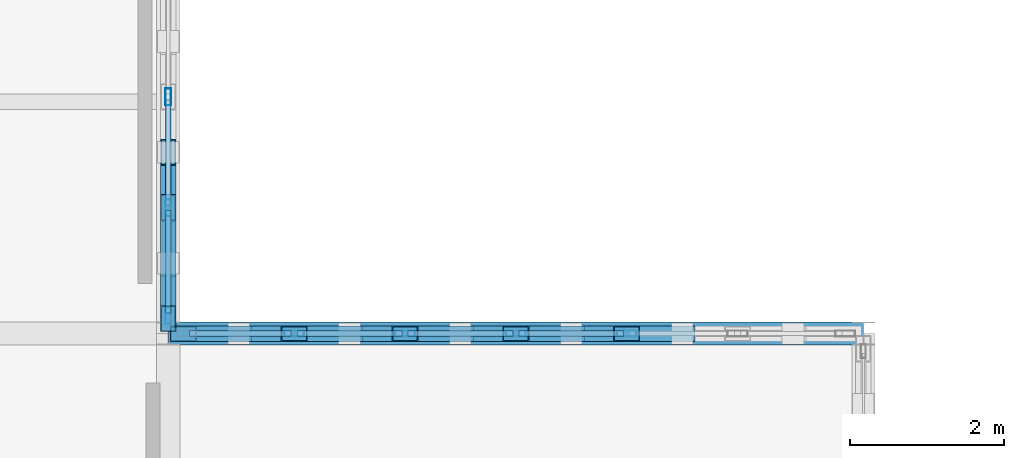
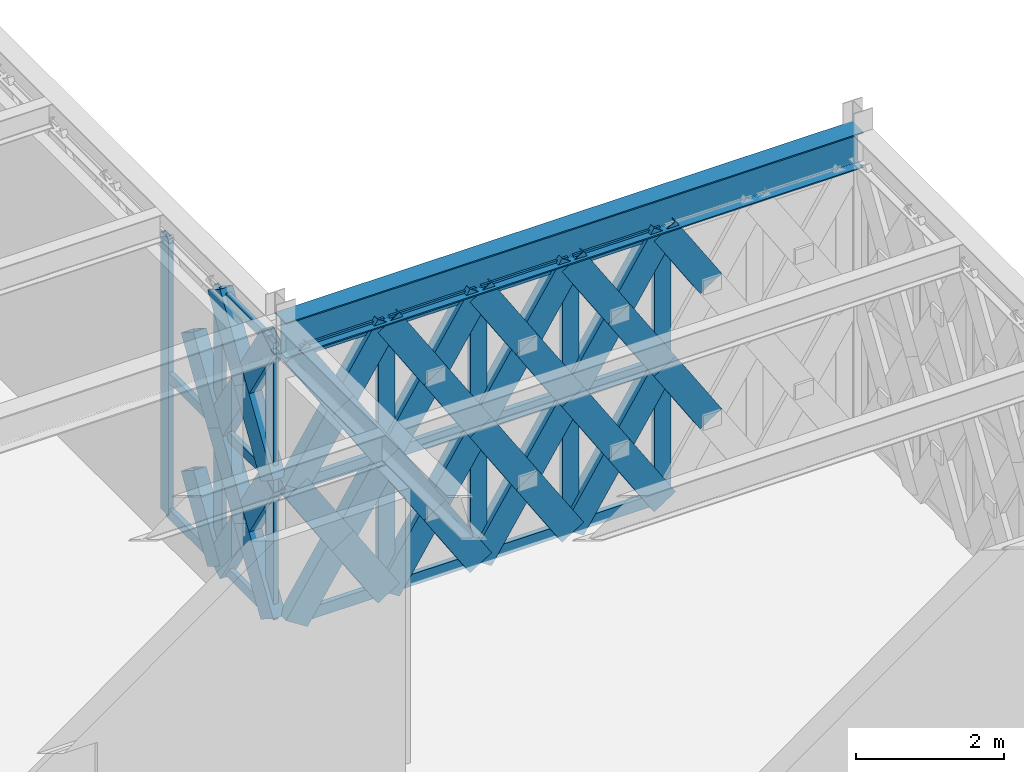
# One storey, part 112 of 155: 58 members, 1 beam, 2 elements without a shape of their own.
"""IFC4 building model written with IfcOpenShell, lengths in metres."""

from ifc_helpers import new_model, si_unit, direction, frame, origin, origin_2d, place, context, subcontext, project, spatial, hollow_rectangle, i_section, extrude, material, material_profile, profile_set, type_object, element, aggregate, save


model = new_model("IFC4")

# Units and contexts
model_context = context("Model", 3, precision=1e-05, world=origin(), true_north=direction((0.0, 1.0)))
body_context = subcontext(model_context, "Body", "Model", "MODEL_VIEW")
ifc_project = project(units=[si_unit("LENGTHUNIT", "METRE"), si_unit("AREAUNIT", "SQUARE_METRE"), si_unit("VOLUMEUNIT", "CUBIC_METRE"), si_unit("PLANEANGLEUNIT", "RADIAN"), si_unit("MASSUNIT", "GRAM", prefix="KILO")], contexts=[model_context])

# Site, building, storey
site_placement = place(None, origin())
site = spatial("IfcSite", under=ifc_project, at=site_placement, CompositionType="ELEMENT")
building_placement = place(site_placement, origin())
building = spatial("IfcBuilding", under=site, at=building_placement, Name="Haizhuo Lancet Aquarium", CompositionType="ELEMENT")
storey_placement = place(building_placement, frame((0.0, 0.0, 10.800048828125)))
storey = spatial("IfcBuildingStorey", under=building, at=storey_placement, Name="L02", CompositionType="ELEMENT", Elevation=10.800048828125)

# Beam
ifc_material_1 = material(Name="Steel S355", Category="steel")
ifc_material_profile_1 = material_profile(ifc_material_1, i_section(OverallWidth=0.300048828125, OverallDepth=0.587890625, WebThickness=0.011962890625, FlangeThickness=0.02001953125, FilletRadius=0.02587890625, at=origin_2d()), Name="HM 588x300x12x20")
ifc_profile_set_1 = profile_set([ifc_material_profile_1], Name="Steel S355")
beam_type = type_object("IfcBeamType", Name="BM-ST-HM588", PredefinedType="BEAM", material=ifc_profile_set_1)
beam_placement = place(storey_placement, frame((63.0, 27.0, 4.755859375), z_axis=(1.0, 0.0, 0.0), x_axis=(0.0, 1.0, 0.0)))
element("IfcBeam", 1, at=beam_placement, inside=storey, type_object=beam_type, Name="L02 V7 primary girder BM-L02-V7-026", PredefinedType="BEAM", context=body_context, shape_type="SweptSolid", body=[
    extrude(i_section(OverallWidth=0.300048828125, OverallDepth=0.587890625, WebThickness=0.011962890625, FlangeThickness=0.02001953125, FilletRadius=0.02587890625, at=origin_2d()), origin(), (0.0, 0.0, 1.0), 9.0),
])

# Curtain wall, members
ifc_material_2 = material(Name="Aluminium 6063-T6", Category="aluminium")
curtain_wall_type_1 = type_object("IfcCurtainWallType", Name="CWD-8610x4560", PredefinedType="NOTDEFINED", material=ifc_material_2)
curtain_wall_1_placement = place(storey_placement, origin())
curtain_wall_1 = element("IfcCurtainWall", 2, at=curtain_wall_1_placement, inside=storey, type_object=curtain_wall_type_1, Name="L02 curtain wall CW-V7-L02-299", PredefinedType="NOTDEFINED")
ifc_material_profile_2 = material_profile(ifc_material_2, hollow_rectangle(XDim=0.074951171875, YDim=0.219970703125, WallThickness=0.0048828125, at=origin_2d()), Name="ALU-M 75x220x5")
ifc_profile_set_2 = profile_set([ifc_material_profile_2], Name="Aluminium 6063-T6")
member_type_1 = type_object("IfcMemberType", Name="CW-MUL-2", PredefinedType="MULLION", material=ifc_profile_set_2)
member_1_placement = place(storey_placement, frame((63.0, 30.06494140625, 0.0), z_axis=(0.0, 0.0, 1.0), x_axis=(1.0, 0.0, 0.0)))
member_1 = element("IfcMember", 3, at=member_1_placement, type_object=member_type_1, Name="CWD-86x45 mullion 5", PredefinedType="MULLION", context=body_context, shape_type="SweptSolid", body=[
    extrude(hollow_rectangle(XDim=0.074951171875, YDim=0.219970703125, WallThickness=0.0048828125, at=origin_2d()), origin(), (0.0, 0.0, 1.0), 4.56201171875),
])
member_2_placement = place(storey_placement, frame((63.0, 28.6298828125, 0.0), z_axis=(0.0, 0.0, 1.0), x_axis=(1.0, 0.0, 0.0)))
member_2 = element("IfcMember", 4, at=member_2_placement, type_object=member_type_1, Name="CWD-86x45 mullion 6", PredefinedType="MULLION", context=body_context, shape_type="SweptSolid", body=[
    extrude(hollow_rectangle(XDim=0.074951171875, YDim=0.219970703125, WallThickness=0.0048828125, at=origin_2d()), origin(), (0.0, 0.0, 1.0), 4.56201171875),
])
member_3_placement = place(storey_placement, frame((63.0, 27.23291015625, 0.0), z_axis=(0.0, 0.0, 1.0), x_axis=(1.0, 0.0, 0.0)))
member_3 = element("IfcMember", 5, at=member_3_placement, type_object=member_type_1, Name="CWD-86x45 mullion 7", PredefinedType="MULLION", context=body_context, shape_type="SweptSolid", body=[
    extrude(hollow_rectangle(XDim=0.074951171875, YDim=0.219970703125, WallThickness=0.0048828125, at=origin_2d()), origin(), (0.0, 0.0, 1.0), 4.56201171875),
])

curtain_wall_type_2 = type_object("IfcCurtainWallType", Name="CWD-8610x4460", PredefinedType="NOTDEFINED", material=ifc_material_2)
curtain_wall_2_placement = place(storey_placement, origin())
curtain_wall_2 = element("IfcCurtainWall", 6, at=curtain_wall_2_placement, inside=storey, type_object=curtain_wall_type_2, Name="L02 curtain wall CW-V7-L02-300", PredefinedType="NOTDEFINED")
ifc_material_profile_3 = material_profile(ifc_material_2, hollow_rectangle(XDim=0.080078125, YDim=0.260009765625, WallThickness=0.0048828125, at=origin_2d()), Name="ALU-M 80x260x5")
ifc_profile_set_3 = profile_set([ifc_material_profile_3], Name="Aluminium 6063-T6")
member_type_2 = type_object("IfcMemberType", Name="CW-MUL-3", PredefinedType="MULLION", material=ifc_profile_set_3)
member_4_placement = place(storey_placement, frame((64.6298828125, 27.0, 0.0), z_axis=(0.0, 0.0, 1.0), x_axis=(0.0, 1.0, 0.0)))
member_4 = element("IfcMember", 7, at=member_4_placement, type_object=member_type_2, Name="CWD-86x44 mullion 2", PredefinedType="MULLION", context=body_context, shape_type="SweptSolid", body=[
    extrude(hollow_rectangle(XDim=0.080078125, YDim=0.260009765625, WallThickness=0.0048828125, at=origin_2d()), origin(), (0.0, 0.0, 1.0), 4.4619140625),
])
member_5_placement = place(storey_placement, frame((66.06494140625, 27.0, 0.0), z_axis=(0.0, 0.0, 1.0), x_axis=(0.0, 1.0, 0.0)))
member_5 = element("IfcMember", 8, at=member_5_placement, type_object=member_type_2, Name="CWD-86x44 mullion 3", PredefinedType="MULLION", context=body_context, shape_type="SweptSolid", body=[
    extrude(hollow_rectangle(XDim=0.080078125, YDim=0.260009765625, WallThickness=0.0048828125, at=origin_2d()), origin(), (0.0, 0.0, 1.0), 4.4619140625),
])
member_6_placement = place(storey_placement, frame((67.5, 27.0, 0.0), z_axis=(0.0, 0.0, 1.0), x_axis=(0.0, 1.0, 0.0)))
member_6 = element("IfcMember", 9, at=member_6_placement, type_object=member_type_2, Name="CWD-86x44 mullion 4", PredefinedType="MULLION", context=body_context, shape_type="SweptSolid", body=[
    extrude(hollow_rectangle(XDim=0.080078125, YDim=0.260009765625, WallThickness=0.0048828125, at=origin_2d()), origin(), (0.0, 0.0, 1.0), 4.4619140625),
])
member_7_placement = place(storey_placement, frame((68.93505859375, 27.0, 0.0), z_axis=(0.0, 0.0, 1.0), x_axis=(0.0, 1.0, 0.0)))
member_7 = element("IfcMember", 10, at=member_7_placement, type_object=member_type_2, Name="CWD-86x44 mullion 5", PredefinedType="MULLION", context=body_context, shape_type="SweptSolid", body=[
    extrude(hollow_rectangle(XDim=0.080078125, YDim=0.260009765625, WallThickness=0.0048828125, at=origin_2d()), origin(), (0.0, 0.0, 1.0), 4.4619140625),
])

# Member
ifc_material_profile_4 = material_profile(ifc_material_2, hollow_rectangle(XDim=0.074951171875, YDim=0.159912109375, WallThickness=0.00390625, at=origin_2d()), Name="ALU-T 75x160x4")
ifc_profile_set_4 = profile_set([ifc_material_profile_4], Name="Aluminium 6063-T6")
member_type_3 = type_object("IfcMemberType", Name="CW-TRN-2", PredefinedType="NOTDEFINED", material=ifc_profile_set_4)
member_8_placement = place(storey_placement, frame((63.0, 30.027099609375, 0.037841796875), z_axis=(0.0, -1.0, 0.0), x_axis=(1.0, 0.0, 0.0)))
member_8 = element("IfcMember", 11, at=member_8_placement, type_object=member_type_3, Name="CWD-86x45 transom 5.1", ObjectType="TRANSOM", PredefinedType="USERDEFINED", context=body_context, shape_type="SweptSolid", body=[
    extrude(hollow_rectangle(XDim=0.074951171875, YDim=0.159912109375, WallThickness=0.00390625, at=origin_2d()), origin(), (0.0, 0.0, 1.0), 1.359130859375),
])

member_9_placement = place(storey_placement, frame((63.0, 30.027099609375, 2.281005859375), z_axis=(0.0, -1.0, 0.0), x_axis=(1.0, 0.0, 0.0)))
member_9 = element("IfcMember", 12, at=member_9_placement, type_object=member_type_3, Name="CWD-86x45 transom 5.2", ObjectType="TRANSOM", PredefinedType="USERDEFINED", context=body_context, shape_type="SweptSolid", body=[
    extrude(hollow_rectangle(XDim=0.074951171875, YDim=0.159912109375, WallThickness=0.00390625, at=origin_2d()), origin(), (0.0, 0.0, 1.0), 1.359130859375),
])

member_10_placement = place(storey_placement, frame((63.0, 28.593017578125, 0.037841796875), z_axis=(0.0, -1.0, 0.0), x_axis=(1.0, 0.0, 0.0)))
member_10 = element("IfcMember", 13, at=member_10_placement, type_object=member_type_3, Name="CWD-86x45 transom 6.1", ObjectType="TRANSOM", PredefinedType="USERDEFINED", context=body_context, shape_type="SweptSolid", body=[
    extrude(hollow_rectangle(XDim=0.074951171875, YDim=0.159912109375, WallThickness=0.00390625, at=origin_2d()), origin(), (0.0, 0.0, 1.0), 1.322998046875),
])

member_11_placement = place(storey_placement, frame((63.0, 28.593017578125, 2.281005859375), z_axis=(0.0, -1.0, 0.0), x_axis=(1.0, 0.0, 0.0)))
member_11 = element("IfcMember", 14, at=member_11_placement, type_object=member_type_3, Name="CWD-86x45 transom 6.2", ObjectType="TRANSOM", PredefinedType="USERDEFINED", context=body_context, shape_type="SweptSolid", body=[
    extrude(hollow_rectangle(XDim=0.074951171875, YDim=0.159912109375, WallThickness=0.00390625, at=origin_2d()), origin(), (0.0, 0.0, 1.0), 1.322998046875),
])

member_12_placement = place(storey_placement, frame((63.0, 28.593017578125, 4.52490234375), z_axis=(0.0, -1.0, 0.0), x_axis=(1.0, 0.0, 0.0)))
member_12 = element("IfcMember", 15, at=member_12_placement, type_object=member_type_3, Name="CWD-86x45 transom 6.3", ObjectType="TRANSOM", PredefinedType="USERDEFINED", context=body_context, shape_type="SweptSolid", body=[
    extrude(hollow_rectangle(XDim=0.074951171875, YDim=0.159912109375, WallThickness=0.00390625, at=origin_2d()), origin(), (0.0, 0.0, 1.0), 1.322998046875),
])

aggregate(curtain_wall_1, [member_1, member_2, member_3, member_8, member_9, member_10, member_11, member_12])

ifc_material_profile_5 = material_profile(ifc_material_2, hollow_rectangle(XDim=0.080078125, YDim=0.18994140625, WallThickness=0.0048828125, at=origin_2d()), Name="ALU-T 80x190x5")
ifc_profile_set_5 = profile_set([ifc_material_profile_5], Name="Aluminium 6063-T6")
member_type_4 = type_object("IfcMemberType", Name="CW-TRN-3", PredefinedType="NOTDEFINED", material=ifc_profile_set_5)
member_13_placement = place(storey_placement, frame((63.27490234375, 27.0, 0.0400390625), z_axis=(1.0, 0.0, 0.0), x_axis=(0.0, 1.0, 0.0)))
member_13 = element("IfcMember", 16, at=member_13_placement, type_object=member_type_4, Name="CWD-86x44 transom 1.1", ObjectType="TRANSOM", PredefinedType="USERDEFINED", context=body_context, shape_type="SweptSolid", body=[
    extrude(hollow_rectangle(XDim=0.080078125, YDim=0.18994140625, WallThickness=0.0048828125, at=origin_2d()), origin(), (0.0, 0.0, 1.0), 1.315185546875),
])

member_14_placement = place(storey_placement, frame((63.27490234375, 27.0, 2.23095703125), z_axis=(1.0, 0.0, 0.0), x_axis=(0.0, 1.0, 0.0)))
member_14 = element("IfcMember", 17, at=member_14_placement, type_object=member_type_4, Name="CWD-86x44 transom 1.2", ObjectType="TRANSOM", PredefinedType="USERDEFINED", context=body_context, shape_type="SweptSolid", body=[
    extrude(hollow_rectangle(XDim=0.080078125, YDim=0.18994140625, WallThickness=0.0048828125, at=origin_2d()), origin(), (0.0, 0.0, 1.0), 1.315185546875),
])

member_15_placement = place(storey_placement, frame((63.27490234375, 27.0, 4.421875), z_axis=(1.0, 0.0, 0.0), x_axis=(0.0, 1.0, 0.0)))
member_15 = element("IfcMember", 18, at=member_15_placement, type_object=member_type_4, Name="CWD-86x44 transom 1.3", ObjectType="TRANSOM", PredefinedType="USERDEFINED", context=body_context, shape_type="SweptSolid", body=[
    extrude(hollow_rectangle(XDim=0.080078125, YDim=0.18994140625, WallThickness=0.0048828125, at=origin_2d()), origin(), (0.0, 0.0, 1.0), 1.315185546875),
])

member_16_placement = place(storey_placement, frame((64.669921875, 27.0, 0.0400390625), z_axis=(1.0, 0.0, 0.0), x_axis=(0.0, 1.0, 0.0)))
member_16 = element("IfcMember", 19, at=member_16_placement, type_object=member_type_4, Name="CWD-86x44 transom 2.1", ObjectType="TRANSOM", PredefinedType="USERDEFINED", context=body_context, shape_type="SweptSolid", body=[
    extrude(hollow_rectangle(XDim=0.080078125, YDim=0.18994140625, WallThickness=0.0048828125, at=origin_2d()), origin(), (0.0, 0.0, 1.0), 1.35498046875),
])

member_17_placement = place(storey_placement, frame((64.669921875, 27.0, 2.23095703125), z_axis=(1.0, 0.0, 0.0), x_axis=(0.0, 1.0, 0.0)))
member_17 = element("IfcMember", 20, at=member_17_placement, type_object=member_type_4, Name="CWD-86x44 transom 2.2", ObjectType="TRANSOM", PredefinedType="USERDEFINED", context=body_context, shape_type="SweptSolid", body=[
    extrude(hollow_rectangle(XDim=0.080078125, YDim=0.18994140625, WallThickness=0.0048828125, at=origin_2d()), origin(), (0.0, 0.0, 1.0), 1.35498046875),
])

member_18_placement = place(storey_placement, frame((64.669921875, 27.0, 4.421875), z_axis=(1.0, 0.0, 0.0), x_axis=(0.0, 1.0, 0.0)))
member_18 = element("IfcMember", 21, at=member_18_placement, type_object=member_type_4, Name="CWD-86x44 transom 2.3", ObjectType="TRANSOM", PredefinedType="USERDEFINED", context=body_context, shape_type="SweptSolid", body=[
    extrude(hollow_rectangle(XDim=0.080078125, YDim=0.18994140625, WallThickness=0.0048828125, at=origin_2d()), origin(), (0.0, 0.0, 1.0), 1.35498046875),
])

member_19_placement = place(storey_placement, frame((66.10498046875, 27.0, 0.0400390625), z_axis=(1.0, 0.0, 0.0), x_axis=(0.0, 1.0, 0.0)))
member_19 = element("IfcMember", 22, at=member_19_placement, type_object=member_type_4, Name="CWD-86x44 transom 3.1", ObjectType="TRANSOM", PredefinedType="USERDEFINED", context=body_context, shape_type="SweptSolid", body=[
    extrude(hollow_rectangle(XDim=0.080078125, YDim=0.18994140625, WallThickness=0.0048828125, at=origin_2d()), origin(), (0.0, 0.0, 1.0), 1.35498046875),
])

member_20_placement = place(storey_placement, frame((66.10498046875, 27.0, 2.23095703125), z_axis=(1.0, 0.0, 0.0), x_axis=(0.0, 1.0, 0.0)))
member_20 = element("IfcMember", 23, at=member_20_placement, type_object=member_type_4, Name="CWD-86x44 transom 3.2", ObjectType="TRANSOM", PredefinedType="USERDEFINED", context=body_context, shape_type="SweptSolid", body=[
    extrude(hollow_rectangle(XDim=0.080078125, YDim=0.18994140625, WallThickness=0.0048828125, at=origin_2d()), origin(), (0.0, 0.0, 1.0), 1.35498046875),
])

member_21_placement = place(storey_placement, frame((66.10498046875, 27.0, 4.421875), z_axis=(1.0, 0.0, 0.0), x_axis=(0.0, 1.0, 0.0)))
member_21 = element("IfcMember", 24, at=member_21_placement, type_object=member_type_4, Name="CWD-86x44 transom 3.3", ObjectType="TRANSOM", PredefinedType="USERDEFINED", context=body_context, shape_type="SweptSolid", body=[
    extrude(hollow_rectangle(XDim=0.080078125, YDim=0.18994140625, WallThickness=0.0048828125, at=origin_2d()), origin(), (0.0, 0.0, 1.0), 1.35498046875),
])

member_22_placement = place(storey_placement, frame((67.5400390625, 27.0, 0.0400390625), z_axis=(1.0, 0.0, 0.0), x_axis=(0.0, 1.0, 0.0)))
member_22 = element("IfcMember", 25, at=member_22_placement, type_object=member_type_4, Name="CWD-86x44 transom 4.1", ObjectType="TRANSOM", PredefinedType="USERDEFINED", context=body_context, shape_type="SweptSolid", body=[
    extrude(hollow_rectangle(XDim=0.080078125, YDim=0.18994140625, WallThickness=0.0048828125, at=origin_2d()), origin(), (0.0, 0.0, 1.0), 1.35498046875),
])

member_23_placement = place(storey_placement, frame((67.5400390625, 27.0, 2.23095703125), z_axis=(1.0, 0.0, 0.0), x_axis=(0.0, 1.0, 0.0)))
member_23 = element("IfcMember", 26, at=member_23_placement, type_object=member_type_4, Name="CWD-86x44 transom 4.2", ObjectType="TRANSOM", PredefinedType="USERDEFINED", context=body_context, shape_type="SweptSolid", body=[
    extrude(hollow_rectangle(XDim=0.080078125, YDim=0.18994140625, WallThickness=0.0048828125, at=origin_2d()), origin(), (0.0, 0.0, 1.0), 1.35498046875),
])

member_24_placement = place(storey_placement, frame((67.5400390625, 27.0, 4.421875), z_axis=(1.0, 0.0, 0.0), x_axis=(0.0, 1.0, 0.0)))
member_24 = element("IfcMember", 27, at=member_24_placement, type_object=member_type_4, Name="CWD-86x44 transom 4.3", ObjectType="TRANSOM", PredefinedType="USERDEFINED", context=body_context, shape_type="SweptSolid", body=[
    extrude(hollow_rectangle(XDim=0.080078125, YDim=0.18994140625, WallThickness=0.0048828125, at=origin_2d()), origin(), (0.0, 0.0, 1.0), 1.35498046875),
])

aggregate(curtain_wall_2, [member_4, member_5, member_6, member_7, member_13, member_14, member_15, member_16, member_17, member_18, member_19, member_20, member_21, member_22, member_23, member_24])

# Members
ifc_material_profile_6 = material_profile(ifc_material_1, hollow_rectangle(XDim=0.199951171875, YDim=0.39990234375, WallThickness=0.011962890625, at=origin_2d()), Name="RHS 200x400x12")
ifc_profile_set_6 = profile_set([ifc_material_profile_6], Name="Steel S355")
member_type_5 = type_object("IfcMemberType", Name="MEM-LB-RHS200x400", PredefinedType="BRACE", material=ifc_profile_set_6)
member_25_placement = place(storey_placement, frame((63.0, 28.6298828125, 0.0), z_axis=(0.0, 0.532649938865, 0.846335656006), x_axis=(-1.0, 0.0, 0.0)))
element("IfcMember", 28, at=member_25_placement, inside=storey, type_object=member_type_5, Name="Gothic lancet split diagonal brace CW-V7-L02-299 9B1", PredefinedType="BRACE", context=body_context, shape_type="SweptSolid", body=[
    extrude(hollow_rectangle(XDim=0.199951171875, YDim=0.39990234375, WallThickness=0.011962890625, at=origin_2d()), origin(), (0.0, 0.0, 1.0), 1.347900390625),
])
member_26_placement = place(storey_placement, frame((63.0, 28.6298828125, 2.281005859375), z_axis=(0.0, 0.532976680835, 0.846129929554), x_axis=(-1.0, 0.0, 0.0)))
element("IfcMember", 29, at=member_26_placement, inside=storey, type_object=member_type_5, Name="Gothic lancet split diagonal brace CW-V7-L02-299 10B1", PredefinedType="BRACE", context=body_context, shape_type="SweptSolid", body=[
    extrude(hollow_rectangle(XDim=0.199951171875, YDim=0.39990234375, WallThickness=0.011962890625, at=origin_2d()), origin(), (0.0, 0.0, 1.0), 1.34716796875),
])
member_27_placement = place(storey_placement, frame((63.0, 28.6298828125, 0.0), z_axis=(0.0, -0.532447977761, 0.846462728641), x_axis=(1.0, 0.0, 0.0)))
element("IfcMember", 30, at=member_27_placement, inside=storey, type_object=member_type_5, Name="Gothic lancet continuous diagonal brace CW-V7-L02-299 11A", PredefinedType="BRACE", context=body_context, shape_type="SweptSolid", body=[
    extrude(hollow_rectangle(XDim=0.199951171875, YDim=0.39990234375, WallThickness=0.011962890625, at=origin_2d()), origin(), (0.0, 0.0, 1.0), 2.69482421875),
])
member_28_placement = place(storey_placement, frame((63.0, 27.195068359375, 0.0), z_axis=(0.0, 0.532649938865, 0.846335656006), x_axis=(-1.0, 0.0, 0.0)))
element("IfcMember", 31, at=member_28_placement, inside=storey, type_object=member_type_5, Name="Gothic lancet split diagonal brace CW-V7-L02-299 11B1", PredefinedType="BRACE", context=body_context, shape_type="SweptSolid", body=[
    extrude(hollow_rectangle(XDim=0.199951171875, YDim=0.39990234375, WallThickness=0.011962890625, at=origin_2d()), origin(), (0.0, 0.0, 1.0), 1.347900390625),
])
member_29_placement = place(storey_placement, frame((63.0, 27.9130859375, 1.140869140625), z_axis=(0.0, 0.532245795857, 0.846589872838), x_axis=(-1.0, 0.0, 0.0)))
element("IfcMember", 32, at=member_29_placement, inside=storey, type_object=member_type_5, Name="Gothic lancet split diagonal brace CW-V7-L02-299 11B2", PredefinedType="BRACE", context=body_context, shape_type="SweptSolid", body=[
    extrude(hollow_rectangle(XDim=0.199951171875, YDim=0.39990234375, WallThickness=0.011962890625, at=origin_2d()), origin(), (0.0, 0.0, 1.0), 1.3466796875),
])
member_30_placement = place(storey_placement, frame((63.0, 28.6298828125, 2.281005859375), z_axis=(0.0, -0.532447977761, 0.846462728641), x_axis=(1.0, 0.0, 0.0)))
element("IfcMember", 33, at=member_30_placement, inside=storey, type_object=member_type_5, Name="Gothic lancet continuous diagonal brace CW-V7-L02-299 12A", PredefinedType="BRACE", context=body_context, shape_type="SweptSolid", body=[
    extrude(hollow_rectangle(XDim=0.199951171875, YDim=0.39990234375, WallThickness=0.011962890625, at=origin_2d()), origin(), (0.0, 0.0, 1.0), 2.69482421875),
])
member_31_placement = place(storey_placement, frame((63.0, 27.195068359375, 2.281005859375), z_axis=(0.0, 0.532976680835, 0.846129929554), x_axis=(-1.0, 0.0, 0.0)))
element("IfcMember", 34, at=member_31_placement, inside=storey, type_object=member_type_5, Name="Gothic lancet split diagonal brace CW-V7-L02-299 12B1", PredefinedType="BRACE", context=body_context, shape_type="SweptSolid", body=[
    extrude(hollow_rectangle(XDim=0.199951171875, YDim=0.39990234375, WallThickness=0.011962890625, at=origin_2d()), origin(), (0.0, 0.0, 1.0), 1.34716796875),
])
member_32_placement = place(storey_placement, frame((63.0, 27.9130859375, 3.4208984375), z_axis=(0.0, 0.531919217362, 0.846795102844), x_axis=(-1.0, 0.0, 0.0)))
element("IfcMember", 35, at=member_32_placement, inside=storey, type_object=member_type_5, Name="Gothic lancet split diagonal brace CW-V7-L02-299 12B2", PredefinedType="BRACE", context=body_context, shape_type="SweptSolid", body=[
    extrude(hollow_rectangle(XDim=0.199951171875, YDim=0.39990234375, WallThickness=0.011962890625, at=origin_2d()), origin(), (0.0, 0.0, 1.0), 1.34765625),
])
member_33_placement = place(storey_placement, frame((63.195068359375, 27.0, 0.0), z_axis=(0.540925048726, 0.0, 0.841070800623), x_axis=(0.0, 1.0, 0.0)))
element("IfcMember", 36, at=member_33_placement, inside=storey, type_object=member_type_5, Name="Gothic lancet continuous diagonal brace CW-V7-L02-300 1A", PredefinedType="BRACE", context=body_context, shape_type="SweptSolid", body=[
    extrude(hollow_rectangle(XDim=0.199951171875, YDim=0.39990234375, WallThickness=0.011962890625, at=origin_2d()), origin(), (0.0, 0.0, 1.0), 2.652587890625),
])
member_34_placement = place(storey_placement, frame((64.6298828125, 27.0, 0.0), z_axis=(-0.540952866584, 0.0, 0.841052909236), x_axis=(0.0, -1.0, 0.0)))
element("IfcMember", 37, at=member_34_placement, inside=storey, type_object=member_type_5, Name="Gothic lancet split diagonal brace CW-V7-L02-300 1B1", PredefinedType="BRACE", context=body_context, shape_type="SweptSolid", body=[
    extrude(hollow_rectangle(XDim=0.199951171875, YDim=0.39990234375, WallThickness=0.011962890625, at=origin_2d()), origin(), (0.0, 0.0, 1.0), 1.326904296875),
])
member_35_placement = place(storey_placement, frame((63.912109375, 27.0, 1.115966796875), z_axis=(-0.540897204727, 0.0, 0.841088707521), x_axis=(0.0, -1.0, 0.0)))
element("IfcMember", 38, at=member_35_placement, inside=storey, type_object=member_type_5, Name="Gothic lancet split diagonal brace CW-V7-L02-300 1B2", PredefinedType="BRACE", context=body_context, shape_type="SweptSolid", body=[
    extrude(hollow_rectangle(XDim=0.199951171875, YDim=0.39990234375, WallThickness=0.011962890625, at=origin_2d()), origin(), (0.0, 0.0, 1.0), 1.32568359375),
])
member_36_placement = place(storey_placement, frame((63.195068359375, 27.0, 2.23095703125), z_axis=(0.540925048726, 0.0, 0.841070800623), x_axis=(0.0, 1.0, 0.0)))
element("IfcMember", 39, at=member_36_placement, inside=storey, type_object=member_type_5, Name="Gothic lancet continuous diagonal brace CW-V7-L02-300 2A", PredefinedType="BRACE", context=body_context, shape_type="SweptSolid", body=[
    extrude(hollow_rectangle(XDim=0.199951171875, YDim=0.39990234375, WallThickness=0.011962890625, at=origin_2d()), origin(), (0.0, 0.0, 1.0), 2.652587890625),
])
member_37_placement = place(storey_placement, frame((64.6298828125, 27.0, 2.23095703125), z_axis=(-0.541287884526, 0.0, 0.84083733627), x_axis=(0.0, -1.0, 0.0)))
element("IfcMember", 40, at=member_37_placement, inside=storey, type_object=member_type_5, Name="Gothic lancet split diagonal brace CW-V7-L02-300 2B1", PredefinedType="BRACE", context=body_context, shape_type="SweptSolid", body=[
    extrude(hollow_rectangle(XDim=0.199951171875, YDim=0.39990234375, WallThickness=0.011962890625, at=origin_2d()), origin(), (0.0, 0.0, 1.0), 1.325927734375),
])
member_38_placement = place(storey_placement, frame((63.912109375, 27.0, 3.345947265625), z_axis=(-0.540562228578, 0.0, 0.84130403365), x_axis=(0.0, -1.0, 0.0)))
element("IfcMember", 41, at=member_38_placement, inside=storey, type_object=member_type_5, Name="Gothic lancet split diagonal brace CW-V7-L02-300 2B2", PredefinedType="BRACE", context=body_context, shape_type="SweptSolid", body=[
    extrude(hollow_rectangle(XDim=0.199951171875, YDim=0.39990234375, WallThickness=0.011962890625, at=origin_2d()), origin(), (0.0, 0.0, 1.0), 1.326416015625),
])
member_39_placement = place(storey_placement, frame((64.6298828125, 27.0, 0.0), z_axis=(0.540990153687, 0.0, 0.841028925551), x_axis=(0.0, 1.0, 0.0)))
element("IfcMember", 42, at=member_39_placement, inside=storey, type_object=member_type_5, Name="Gothic lancet continuous diagonal brace CW-V7-L02-300 3A", PredefinedType="BRACE", context=body_context, shape_type="SweptSolid", body=[
    extrude(hollow_rectangle(XDim=0.199951171875, YDim=0.39990234375, WallThickness=0.011962890625, at=origin_2d()), origin(), (0.0, 0.0, 1.0), 2.652587890625),
])
member_40_placement = place(storey_placement, frame((66.06494140625, 27.0, 0.0), z_axis=(-0.541083001516, 0.0, 0.840969194127), x_axis=(0.0, -1.0, 0.0)))
element("IfcMember", 43, at=member_40_placement, inside=storey, type_object=member_type_5, Name="Gothic lancet split diagonal brace CW-V7-L02-300 3B1", PredefinedType="BRACE", context=body_context, shape_type="SweptSolid", body=[
    extrude(hollow_rectangle(XDim=0.199951171875, YDim=0.39990234375, WallThickness=0.011962890625, at=origin_2d()), origin(), (0.0, 0.0, 1.0), 1.326904296875),
])
member_41_placement = place(storey_placement, frame((65.346923828125, 27.0, 1.115966796875), z_axis=(-0.540897204727, 0.0, 0.841088707521), x_axis=(0.0, -1.0, 0.0)))
element("IfcMember", 44, at=member_41_placement, inside=storey, type_object=member_type_5, Name="Gothic lancet split diagonal brace CW-V7-L02-300 3B2", PredefinedType="BRACE", context=body_context, shape_type="SweptSolid", body=[
    extrude(hollow_rectangle(XDim=0.199951171875, YDim=0.39990234375, WallThickness=0.011962890625, at=origin_2d()), origin(), (0.0, 0.0, 1.0), 1.32568359375),
])
member_42_placement = place(storey_placement, frame((64.6298828125, 27.0, 2.23095703125), z_axis=(0.540990153687, 0.0, 0.841028925551), x_axis=(0.0, 1.0, 0.0)))
element("IfcMember", 45, at=member_42_placement, inside=storey, type_object=member_type_5, Name="Gothic lancet continuous diagonal brace CW-V7-L02-300 4A", PredefinedType="BRACE", context=body_context, shape_type="SweptSolid", body=[
    extrude(hollow_rectangle(XDim=0.199951171875, YDim=0.39990234375, WallThickness=0.011962890625, at=origin_2d()), origin(), (0.0, 0.0, 1.0), 2.652587890625),
])
member_43_placement = place(storey_placement, frame((66.06494140625, 27.0, 2.23095703125), z_axis=(-0.541418033285, 0.0, 0.840753538936), x_axis=(0.0, -1.0, 0.0)))
element("IfcMember", 46, at=member_43_placement, inside=storey, type_object=member_type_5, Name="Gothic lancet split diagonal brace CW-V7-L02-300 4B1", PredefinedType="BRACE", context=body_context, shape_type="SweptSolid", body=[
    extrude(hollow_rectangle(XDim=0.199951171875, YDim=0.39990234375, WallThickness=0.011962890625, at=origin_2d()), origin(), (0.0, 0.0, 1.0), 1.326171875),
])
member_44_placement = place(storey_placement, frame((65.346923828125, 27.0, 3.345947265625), z_axis=(-0.540562228578, 0.0, 0.84130403365), x_axis=(0.0, -1.0, 0.0)))
element("IfcMember", 47, at=member_44_placement, inside=storey, type_object=member_type_5, Name="Gothic lancet split diagonal brace CW-V7-L02-300 4B2", PredefinedType="BRACE", context=body_context, shape_type="SweptSolid", body=[
    extrude(hollow_rectangle(XDim=0.199951171875, YDim=0.39990234375, WallThickness=0.011962890625, at=origin_2d()), origin(), (0.0, 0.0, 1.0), 1.326416015625),
])
member_45_placement = place(storey_placement, frame((66.06494140625, 27.0, 0.0), z_axis=(0.540990153687, 0.0, 0.841028925551), x_axis=(0.0, 1.0, 0.0)))
element("IfcMember", 48, at=member_45_placement, inside=storey, type_object=member_type_5, Name="Gothic lancet continuous diagonal brace CW-V7-L02-300 5A", PredefinedType="BRACE", context=body_context, shape_type="SweptSolid", body=[
    extrude(hollow_rectangle(XDim=0.199951171875, YDim=0.39990234375, WallThickness=0.011962890625, at=origin_2d()), origin(), (0.0, 0.0, 1.0), 2.652587890625),
])
member_46_placement = place(storey_placement, frame((67.5, 27.0, 0.0), z_axis=(-0.541083001516, 0.0, 0.840969194127), x_axis=(0.0, -1.0, 0.0)))
element("IfcMember", 49, at=member_46_placement, inside=storey, type_object=member_type_5, Name="Gothic lancet split diagonal brace CW-V7-L02-300 5B1", PredefinedType="BRACE", context=body_context, shape_type="SweptSolid", body=[
    extrude(hollow_rectangle(XDim=0.199951171875, YDim=0.39990234375, WallThickness=0.011962890625, at=origin_2d()), origin(), (0.0, 0.0, 1.0), 1.326904296875),
])
member_47_placement = place(storey_placement, frame((66.781982421875, 27.0, 1.115966796875), z_axis=(-0.540897204727, 0.0, 0.841088707521), x_axis=(0.0, -1.0, 0.0)))
element("IfcMember", 50, at=member_47_placement, inside=storey, type_object=member_type_5, Name="Gothic lancet split diagonal brace CW-V7-L02-300 5B2", PredefinedType="BRACE", context=body_context, shape_type="SweptSolid", body=[
    extrude(hollow_rectangle(XDim=0.199951171875, YDim=0.39990234375, WallThickness=0.011962890625, at=origin_2d()), origin(), (0.0, 0.0, 1.0), 1.32568359375),
])
member_48_placement = place(storey_placement, frame((66.06494140625, 27.0, 2.23095703125), z_axis=(0.540990153687, 0.0, 0.841028925551), x_axis=(0.0, 1.0, 0.0)))
element("IfcMember", 51, at=member_48_placement, inside=storey, type_object=member_type_5, Name="Gothic lancet continuous diagonal brace CW-V7-L02-300 6A", PredefinedType="BRACE", context=body_context, shape_type="SweptSolid", body=[
    extrude(hollow_rectangle(XDim=0.199951171875, YDim=0.39990234375, WallThickness=0.011962890625, at=origin_2d()), origin(), (0.0, 0.0, 1.0), 2.652587890625),
])
member_49_placement = place(storey_placement, frame((67.5, 27.0, 2.23095703125), z_axis=(-0.541418033285, 0.0, 0.840753538936), x_axis=(0.0, -1.0, 0.0)))
element("IfcMember", 52, at=member_49_placement, inside=storey, type_object=member_type_5, Name="Gothic lancet split diagonal brace CW-V7-L02-300 6B1", PredefinedType="BRACE", context=body_context, shape_type="SweptSolid", body=[
    extrude(hollow_rectangle(XDim=0.199951171875, YDim=0.39990234375, WallThickness=0.011962890625, at=origin_2d()), origin(), (0.0, 0.0, 1.0), 1.326171875),
])
member_50_placement = place(storey_placement, frame((66.781982421875, 27.0, 3.345947265625), z_axis=(-0.540562228578, 0.0, 0.84130403365), x_axis=(0.0, -1.0, 0.0)))
element("IfcMember", 53, at=member_50_placement, inside=storey, type_object=member_type_5, Name="Gothic lancet split diagonal brace CW-V7-L02-300 6B2", PredefinedType="BRACE", context=body_context, shape_type="SweptSolid", body=[
    extrude(hollow_rectangle(XDim=0.199951171875, YDim=0.39990234375, WallThickness=0.011962890625, at=origin_2d()), origin(), (0.0, 0.0, 1.0), 1.326416015625),
])
member_51_placement = place(storey_placement, frame((67.5, 27.0, 0.0), z_axis=(0.540990153687, 0.0, 0.841028925551), x_axis=(0.0, 1.0, 0.0)))
element("IfcMember", 54, at=member_51_placement, inside=storey, type_object=member_type_5, Name="Gothic lancet continuous diagonal brace CW-V7-L02-300 7A", PredefinedType="BRACE", context=body_context, shape_type="SweptSolid", body=[
    extrude(hollow_rectangle(XDim=0.199951171875, YDim=0.39990234375, WallThickness=0.011962890625, at=origin_2d()), origin(), (0.0, 0.0, 1.0), 2.652587890625),
])
member_52_placement = place(storey_placement, frame((68.93505859375, 27.0, 0.0), z_axis=(-0.540562228578, 0.0, 0.84130403365), x_axis=(0.0, -1.0, 0.0)))
element("IfcMember", 55, at=member_52_placement, inside=storey, type_object=member_type_5, Name="Gothic lancet split diagonal brace CW-V7-L02-300 7B1", PredefinedType="BRACE", context=body_context, shape_type="SweptSolid", body=[
    extrude(hollow_rectangle(XDim=0.199951171875, YDim=0.39990234375, WallThickness=0.011962890625, at=origin_2d()), origin(), (0.0, 0.0, 1.0), 1.326416015625),
])
member_53_placement = place(storey_placement, frame((68.218017578125, 27.0, 1.115966796875), z_axis=(-0.541418033285, 0.0, 0.840753538936), x_axis=(0.0, -1.0, 0.0)))
element("IfcMember", 56, at=member_53_placement, inside=storey, type_object=member_type_5, Name="Gothic lancet split diagonal brace CW-V7-L02-300 7B2", PredefinedType="BRACE", context=body_context, shape_type="SweptSolid", body=[
    extrude(hollow_rectangle(XDim=0.199951171875, YDim=0.39990234375, WallThickness=0.011962890625, at=origin_2d()), origin(), (0.0, 0.0, 1.0), 1.326171875),
])
member_54_placement = place(storey_placement, frame((67.5, 27.0, 2.23095703125), z_axis=(0.540990153687, 0.0, 0.841028925551), x_axis=(0.0, 1.0, 0.0)))
element("IfcMember", 57, at=member_54_placement, inside=storey, type_object=member_type_5, Name="Gothic lancet continuous diagonal brace CW-V7-L02-300 8A", PredefinedType="BRACE", context=body_context, shape_type="SweptSolid", body=[
    extrude(hollow_rectangle(XDim=0.199951171875, YDim=0.39990234375, WallThickness=0.011962890625, at=origin_2d()), origin(), (0.0, 0.0, 1.0), 2.652587890625),
])
member_55_placement = place(storey_placement, frame((68.93505859375, 27.0, 2.23095703125), z_axis=(-0.540897204727, 0.0, 0.841088707521), x_axis=(0.0, -1.0, 0.0)))
element("IfcMember", 58, at=member_55_placement, inside=storey, type_object=member_type_5, Name="Gothic lancet split diagonal brace CW-V7-L02-300 8B1", PredefinedType="BRACE", context=body_context, shape_type="SweptSolid", body=[
    extrude(hollow_rectangle(XDim=0.199951171875, YDim=0.39990234375, WallThickness=0.011962890625, at=origin_2d()), origin(), (0.0, 0.0, 1.0), 1.32568359375),
])
member_56_placement = place(storey_placement, frame((68.218017578125, 27.0, 3.345947265625), z_axis=(-0.541083001516, 0.0, 0.840969194127), x_axis=(0.0, -1.0, 0.0)))
element("IfcMember", 59, at=member_56_placement, inside=storey, type_object=member_type_5, Name="Gothic lancet split diagonal brace CW-V7-L02-300 8B2", PredefinedType="BRACE", context=body_context, shape_type="SweptSolid", body=[
    extrude(hollow_rectangle(XDim=0.199951171875, YDim=0.39990234375, WallThickness=0.011962890625, at=origin_2d()), origin(), (0.0, 0.0, 1.0), 1.326904296875),
])
member_57_placement = place(storey_placement, frame((69.653076171875, 27.0, 1.115966796875), z_axis=(-0.541418033285, 0.0, 0.840753538936), x_axis=(0.0, -1.0, 0.0)))
element("IfcMember", 60, at=member_57_placement, inside=storey, type_object=member_type_5, Name="Gothic lancet split diagonal brace CW-V7-L02-300 9B2", PredefinedType="BRACE", context=body_context, shape_type="SweptSolid", body=[
    extrude(hollow_rectangle(XDim=0.199951171875, YDim=0.39990234375, WallThickness=0.011962890625, at=origin_2d()), origin(), (0.0, 0.0, 1.0), 1.326171875),
])
member_58_placement = place(storey_placement, frame((69.653076171875, 27.0, 3.345947265625), z_axis=(-0.541083001516, 0.0, 0.840969194127), x_axis=(0.0, -1.0, 0.0)))
element("IfcMember", 61, at=member_58_placement, inside=storey, type_object=member_type_5, Name="Gothic lancet split diagonal brace CW-V7-L02-300 10B2", PredefinedType="BRACE", context=body_context, shape_type="SweptSolid", body=[
    extrude(hollow_rectangle(XDim=0.199951171875, YDim=0.39990234375, WallThickness=0.011962890625, at=origin_2d()), origin(), (0.0, 0.0, 1.0), 1.326904296875),
])

save(model, "model.ifc")
